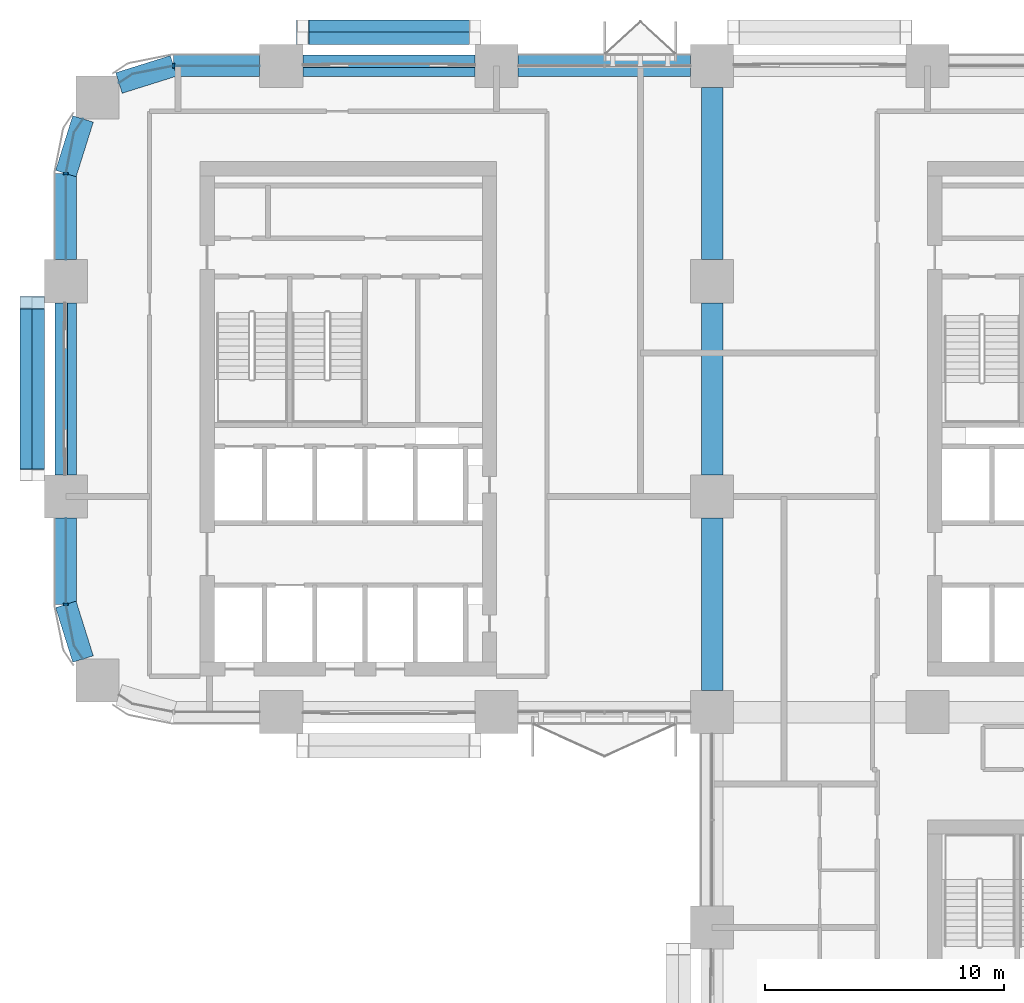
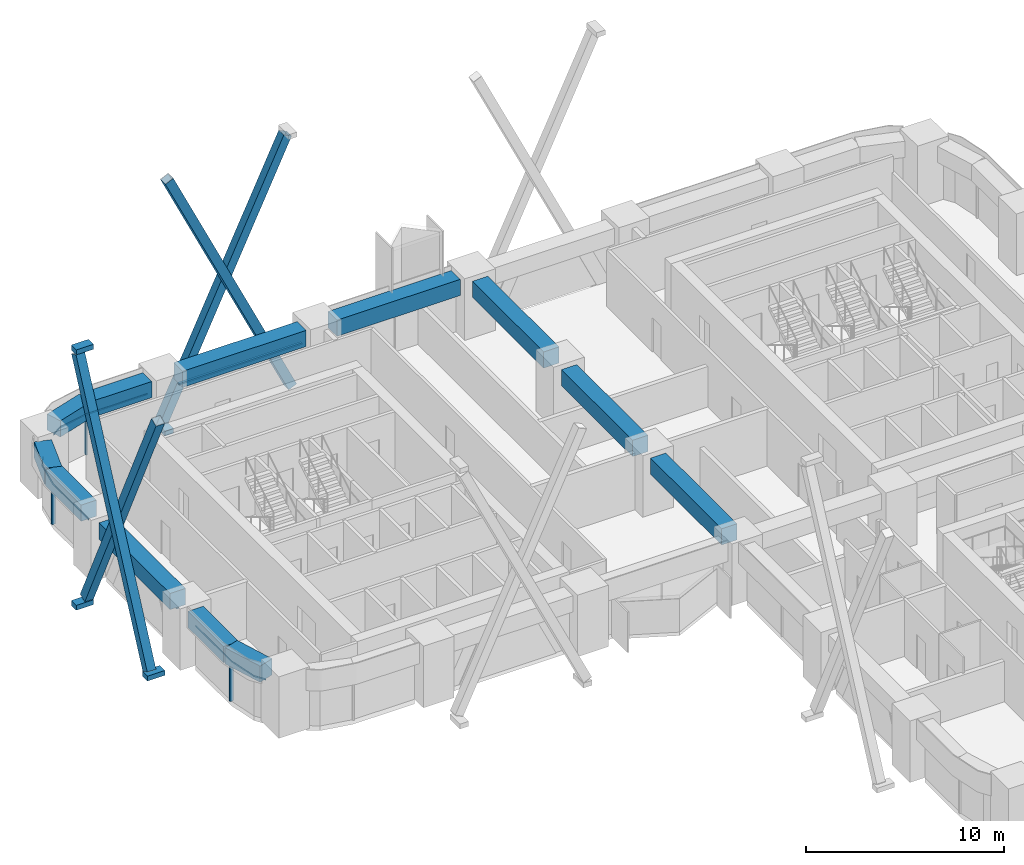
# One storey, part 6 of 19: 16 members, 12 beams, 5 elements without a shape of their own.
"""IFC4 building model written with IfcOpenShell, lengths in metres."""

from ifc_helpers import new_model, si_unit, direction, frame, origin, origin_2d, place, context, subcontext, project, spatial, polyline, rectangle, hollow_rectangle, outline, extrude, material, layer, layer_set, material_profile, profile_set, type_object, element, aggregate, save


model = new_model("IFC4")

# Units and contexts
model_context = context("Model", 3, precision=1e-05, world=origin(), true_north=direction((0.0, 1.0)))
body_context = subcontext(model_context, "Body", "Model", "MODEL_VIEW")
ifc_project = project(units=[si_unit("LENGTHUNIT", "METRE"), si_unit("AREAUNIT", "SQUARE_METRE"), si_unit("VOLUMEUNIT", "CUBIC_METRE"), si_unit("PLANEANGLEUNIT", "RADIAN"), si_unit("MASSUNIT", "GRAM", prefix="KILO")], contexts=[model_context])

# Site, building, storey
site_placement = place(None, origin())
site = spatial("IfcSite", under=ifc_project, at=site_placement, CompositionType="ELEMENT")
building_placement = place(site_placement, origin())
building = spatial("IfcBuilding", under=site, at=building_placement, Name="Tessera Arch", CompositionType="ELEMENT")
storey_placement = place(building_placement, frame((0.0, 0.0, 93.0)))
storey = spatial("IfcBuildingStorey", under=building, at=storey_placement, Name="L21", CompositionType="ELEMENT", Elevation=93.0)

# Members
ifc_material_1 = material(Name="Steel A500 Gr C", Category="steel")
ifc_material_profile_1 = material_profile(ifc_material_1, hollow_rectangle(XDim=0.508056640625, YDim=0.508056640625, WallThickness=0.0146484375, at=origin_2d()), Name="HSS20x20x5/8")
ifc_profile_set_1 = profile_set([ifc_material_profile_1], Name="Steel A500 Gr C")
member_type_1 = type_object("IfcMemberType", Name="Brace HSS20x20x5/8 Steel A500 Gr C", PredefinedType="BRACE", material=ifc_profile_set_1)
for number, where, z_axis, x_axis, name in (
    (1, (17.10009765625, 55.154052734375, -0.800048828125), (-0.428096952335, 0.0, 0.903732814167), (0.0, -1.0, 0.0), "Brace N54.0-3 A L21-L24"),
    (2, (9.89990234375, 55.662109375, -0.800048828125), (0.428096952335, 0.0, 0.903732814167), (0.0, 1.0, 0.0), "Brace N54.0-3 B L21-L24"),
    (3, (-1.154052734375, 44.10009765625, -0.800048828125), (0.0, -0.428096952335, 0.903732814167), (1.0, 0.0, 0.0), "Brace W0.27-1 A L21-L24"),
    (4, (-1.662109375, 36.89990234375, -0.800048828125), (0.0, 0.428096952335, 0.903732814167), (-1.0, 0.0, 0.0), "Brace W0.27-1 B L21-L24"),
):
    element("IfcMember", number, at=place(storey_placement, frame(where, z_axis=z_axis, x_axis=x_axis)), inside=storey, type_object=member_type_1, Name=name, PredefinedType="BRACE", context=body_context, shape_type="SweptSolid", body=[
        extrude(hollow_rectangle(XDim=0.508056640625, YDim=0.508056640625, WallThickness=0.0146484375, at=origin_2d()), origin(), (0.0, 0.0, 1.0), 16.819091796875),
    ])

# Curtain wall, member
ifc_material_2 = material(Name="CW2 curtain wall")
curtain_wall_type_1 = type_object("IfcCurtainWallType", Name="CW2 curtain wall", PredefinedType="NOTDEFINED", material=ifc_material_2)
curtain_wall_1_placement = place(storey_placement, origin())
curtain_wall_1 = element("IfcCurtainWall", 5, at=curtain_wall_1_placement, inside=storey, type_object=curtain_wall_type_1, Name="CW2 curtain wall N54.0/4 L21", PredefinedType="NOTDEFINED")
ifc_material_3 = material(Name="Anodised aluminium pale metal", Category="aluminium")
ifc_material_profile_2 = material_profile(ifc_material_3, rectangle(XDim=0.199951171875, YDim=0.080078125, at=origin_2d()), Name="AL 80x200")
ifc_profile_set_2 = profile_set([ifc_material_profile_2], Name="Anodised aluminium pale metal")
member_type_2 = type_object("IfcMemberType", Name="CW2 mullion", PredefinedType="MULLION", material=ifc_profile_set_2)
member_1_placement = place(storey_placement, frame((4.5, 54.0, 0.0), z_axis=(0.0, 0.0, 1.0), x_axis=(0.0, -1.0, 0.0)))
member_1 = element("IfcMember", 6, at=member_1_placement, type_object=member_type_2, Name="CW2 mullion N54.0/4 1", PredefinedType="MULLION", context=body_context, shape_type="SweptSolid", body=[
    extrude(rectangle(XDim=0.199951171875, YDim=0.080078125, at=origin_2d()), origin(), (0.0, 0.0, 1.0), 2.39990234375),
])

curtain_wall_2_placement = place(storey_placement, origin())
curtain_wall_2 = element("IfcCurtainWall", 7, at=curtain_wall_2_placement, inside=storey, type_object=curtain_wall_type_1, Name="CW2 curtain wall W0.27/0 L21", PredefinedType="NOTDEFINED")
member_2_placement = place(storey_placement, frame((0.0, 49.5, 0.0), z_axis=(0.0, 0.0, 1.0), x_axis=(1.0, 0.0, 0.0)))
member_2 = element("IfcMember", 8, at=member_2_placement, type_object=member_type_2, Name="CW2 mullion W0.27/0 1", PredefinedType="MULLION", context=body_context, shape_type="SweptSolid", body=[
    extrude(rectangle(XDim=0.199951171875, YDim=0.080078125, at=origin_2d()), origin(), (0.0, 0.0, 1.0), 2.39990234375),
])

curtain_wall_3_placement = place(storey_placement, origin())
curtain_wall_3 = element("IfcCurtainWall", 9, at=curtain_wall_3_placement, inside=storey, type_object=curtain_wall_type_1, Name="CW2 curtain wall W0.27/2 L21", PredefinedType="NOTDEFINED")
member_3_placement = place(storey_placement, frame((0.0, 31.5, 0.0), z_axis=(0.0, 0.0, 1.0), x_axis=(1.0, 0.0, 0.0)))
member_3 = element("IfcMember", 10, at=member_3_placement, type_object=member_type_2, Name="CW2 mullion W0.27/2 1", PredefinedType="MULLION", context=body_context, shape_type="SweptSolid", body=[
    extrude(rectangle(XDim=0.199951171875, YDim=0.080078125, at=origin_2d()), origin(), (0.0, 0.0, 1.0), 2.39990234375),
])

# Member
ifc_material_4 = material(Name="Anodised aluminium pale metal", Category="aluminium")
ifc_material_profile_3 = material_profile(ifc_material_4, rectangle(XDim=0.199951171875, YDim=0.10009765625, at=origin_2d()), Name="AL 200x100")
ifc_profile_set_3 = profile_set([ifc_material_profile_3], Name="Anodised aluminium pale metal")
member_type_3 = type_object("IfcMemberType", Name="CW2 transom", PredefinedType="USERDEFINED", material=ifc_profile_set_3)
member_4_placement = place(storey_placement, frame((0.0, 0.0, 2.39990234375)))
member_4 = element("IfcMember", 11, at=member_4_placement, type_object=member_type_3, Name="CW2 transom N54.0/4 1", ObjectType="TRANSOM", PredefinedType="USERDEFINED", context=body_context, shape_type="SweptSolid", body=[
    extrude(outline(polyline([(4.5009765625, 53.989990234375), (8.10009765625, 53.989990234375), (8.10009765625, 54.010009765625), (4.4990234375, 54.010009765625), (2.77392578125, 53.6669921875), (2.21240234375, 53.29150390625), (2.2236328125, 53.27490234375), (2.78173828125, 53.648193359375), (4.5009765625, 53.989990234375)])), origin(), (0.0, 0.0, 1.0), 0.10009765625),
])

aggregate(curtain_wall_1, [member_1, member_4])

member_5_placement = place(storey_placement, frame((0.0, 0.0, 2.39990234375)))
member_5 = element("IfcMember", 12, at=member_5_placement, type_object=member_type_3, Name="CW2 transom W0.27/0 1", ObjectType="TRANSOM", PredefinedType="USERDEFINED", context=body_context, shape_type="SweptSolid", body=[
    extrude(outline(polyline([(0.351806640625, 51.21826171875), (0.72509765625, 51.7763671875), (0.70849609375, 51.78759765625), (0.3330078125, 51.22607421875), (-0.010009765625, 49.5009765625), (-0.010009765625, 45.89990234375), (0.010009765625, 45.89990234375), (0.010009765625, 49.4990234375), (0.351806640625, 51.21826171875)])), origin(), (0.0, 0.0, 1.0), 0.10009765625),
])

aggregate(curtain_wall_2, [member_2, member_5])

member_6_placement = place(storey_placement, frame((0.0, 0.0, 2.39990234375)))
member_6 = element("IfcMember", 13, at=member_6_placement, type_object=member_type_3, Name="CW2 transom W0.27/2 1", ObjectType="TRANSOM", PredefinedType="USERDEFINED", context=body_context, shape_type="SweptSolid", body=[
    extrude(outline(polyline([(0.010009765625, 31.5009765625), (0.010009765625, 35.10009765625), (-0.010009765625, 35.10009765625), (-0.010009765625, 31.4990234375), (0.3330078125, 29.77392578125), (0.70849609375, 29.21240234375), (0.72509765625, 29.2236328125), (0.351806640625, 29.78173828125), (0.010009765625, 31.5009765625)])), origin(), (0.0, 0.0, 1.0), 0.10009765625),
])

aggregate(curtain_wall_3, [member_3, member_6])

# Curtain wall, member
ifc_material_5 = material(Name="CW3 curtain wall")
curtain_wall_type_2 = type_object("IfcCurtainWallType", Name="CW3 curtain wall", PredefinedType="NOTDEFINED", material=ifc_material_5)
curtain_wall_4_placement = place(storey_placement, origin())
curtain_wall_4 = element("IfcCurtainWall", 14, at=curtain_wall_4_placement, inside=storey, type_object=curtain_wall_type_2, Name="CW3 curtain wall N54.0/3 L21", PredefinedType="NOTDEFINED")
ifc_material_6 = material(Name="Anodised aluminium pale metal", Category="aluminium")
ifc_material_profile_4 = material_profile(ifc_material_6, rectangle(XDim=0.139892578125, YDim=0.10009765625, at=origin_2d()), Name="AL 140x100")
ifc_profile_set_4 = profile_set([ifc_material_profile_4], Name="Anodised aluminium pale metal")
member_type_4 = type_object("IfcMemberType", Name="CW3 transom", PredefinedType="USERDEFINED", material=ifc_profile_set_4)
member_7_placement = place(storey_placement, frame((17.10009765625, 54.0, 2.449951171875), z_axis=(-1.0, 0.0, 0.0), x_axis=(0.0, -1.0, 0.0)))
member_7 = element("IfcMember", 15, at=member_7_placement, type_object=member_type_4, Name="CW3 transom N54.0/3 1.1", ObjectType="TRANSOM", PredefinedType="USERDEFINED", context=body_context, shape_type="SweptSolid", body=[
    extrude(rectangle(XDim=0.139892578125, YDim=0.10009765625, at=origin_2d()), origin(), (0.0, 0.0, 1.0), 7.2001953125),
])
aggregate(curtain_wall_4, [member_7])

curtain_wall_5_placement = place(storey_placement, origin())
curtain_wall_5 = element("IfcCurtainWall", 16, at=curtain_wall_5_placement, inside=storey, type_object=curtain_wall_type_2, Name="CW3 curtain wall W0.27/1 L21", PredefinedType="NOTDEFINED")
member_8_placement = place(storey_placement, frame((0.0, 44.10009765625, 2.449951171875), z_axis=(0.0, -1.0, 0.0), x_axis=(1.0, 0.0, 0.0)))
member_8 = element("IfcMember", 17, at=member_8_placement, type_object=member_type_4, Name="CW3 transom W0.27/1 1.1", ObjectType="TRANSOM", PredefinedType="USERDEFINED", context=body_context, shape_type="SweptSolid", body=[
    extrude(rectangle(XDim=0.139892578125, YDim=0.10009765625, at=origin_2d()), origin(), (0.0, 0.0, 1.0), 7.2001953125),
])
aggregate(curtain_wall_5, [member_8])

# Members
ifc_material_7 = material(Name="Steel A572 Gr50", Category="steel")
ifc_layer = layer(ifc_material_7, 0.050048828125)
ifc_layer_set = layer_set([ifc_layer], Name="Node block Steel A572 Gr50")
member_type_5 = type_object("IfcMemberType", Name="Node block Steel A572 Gr50", PredefinedType="PLATE", material=ifc_layer_set)
for number, where, z_axis, x_axis, name in (
    (18, (9.89990234375, 55.407958984375, -1.2314453125), (0.0, 0.0, 1.0), (-1.0, 0.0, 0.0), "Node block seat N54.0-3 1 L21"),
    (19, (-1.407958984375, 36.89990234375, -1.2314453125), (0.0, 0.0, 1.0), (0.0, -1.0, 0.0), "Node block seat W0.27-1 1 L21"),
    (20, (-1.407958984375, 44.10009765625, -1.2314453125), (0.0, 0.0, 1.0), (0.0, -1.0, 0.0), "Node block seat W0.27-1 2 L21"),
    (21, (-1.407958984375, 44.10009765625, 14.53125), (0.0, 0.0, 1.0), (0.0, -1.0, 0.0), "Node block head W0.27-1 B L21"),
):
    element("IfcMember", number, at=place(storey_placement, frame(where, z_axis=z_axis, x_axis=x_axis)), inside=storey, type_object=member_type_5, Name=name, PredefinedType="PLATE", context=body_context, shape_type="SweptSolid", body=[
        extrude(rectangle(XDim=0.508056640625, YDim=1.01611328125, at=origin_2d()), origin(), (0.0, 0.0, 1.0), 0.300048828125),
    ])

# Beams
ifc_material_8 = material(Name="Concrete C80/95", Category="concrete")
ifc_material_profile_5 = material_profile(ifc_material_8, rectangle(XDim=0.89990234375, YDim=1.0, at=origin_2d()), Name="RC spandrel beam 900 x 1000 Concrete C80/95")
ifc_profile_set_5 = profile_set([ifc_material_profile_5], Name="Concrete C80/95")
beam_type = type_object("IfcBeamType", Name="RC spandrel beam 900 x 1000 Concrete C80/95", PredefinedType="BEAM", material=ifc_profile_set_5)
for number, where, z_axis, x_axis, name in (
    (22, (26.10009765625, 54.0, 3.0), (-1.0, 0.0, 0.0), (0.0, -1.0, 0.0), "Spandrel beam L21 N54.0/2"),
    (23, (17.10009765625, 54.0, 3.0), (-1.0, 0.0, 0.0), (0.0, -1.0, 0.0), "Spandrel beam L21 N54.0/3"),
):
    element("IfcBeam", number, at=place(storey_placement, frame(where, z_axis=z_axis, x_axis=x_axis)), inside=storey, type_object=beam_type, Name=name, PredefinedType="BEAM", context=body_context, shape_type="SweptSolid", body=[
        extrude(rectangle(XDim=0.89990234375, YDim=1.0, at=origin_2d()), origin(), (0.0, 0.0, 1.0), 7.2001953125),
    ])
beam_1_placement = place(storey_placement, frame((8.10009765625, 54.0, 3.0), z_axis=(-1.0, 0.0, 0.0), x_axis=(0.0, -1.0, 0.0)))
element("IfcBeam", 24, at=beam_1_placement, inside=storey, type_object=beam_type, Name="Spandrel beam L21 N54.0/4.1", PredefinedType="BEAM", context=body_context, shape_type="SweptSolid", body=[
    extrude(rectangle(XDim=0.89990234375, YDim=1.0, at=origin_2d()), origin(), (0.0, 0.0, 1.0), 3.60009765625),
])
for number, where, z_axis, x_axis, name in (
    (25, (4.5, 54.0, 3.0), (-0.954041251279, -0.299675309057, 0.0), (0.299675309057, -0.954041251279, 0.0), "Spandrel beam L21 N54.0/4.2"),
    (26, (0.716796875, 51.781982421875, 3.0), (-0.299675309057, -0.954041251279, 0.0), (0.954041251279, -0.299675309057, 0.0), "Spandrel beam L21 W0.27/0.1"),
):
    element("IfcBeam", number, at=place(storey_placement, frame(where, z_axis=z_axis, x_axis=x_axis)), inside=storey, type_object=beam_type, Name=name, PredefinedType="BEAM", context=body_context, shape_type="SweptSolid", body=[
        extrude(rectangle(XDim=0.89990234375, YDim=1.0, at=origin_2d()), origin(), (0.0, 0.0, 1.0), 2.391845703125),
    ])
beam_2_placement = place(storey_placement, frame((0.0, 49.5, 3.0), z_axis=(0.0, -1.0, 0.0), x_axis=(1.0, 0.0, 0.0)))
element("IfcBeam", 27, at=beam_2_placement, inside=storey, type_object=beam_type, Name="Spandrel beam L21 W0.27/0.2", PredefinedType="BEAM", context=body_context, shape_type="SweptSolid", body=[
    extrude(rectangle(XDim=0.89990234375, YDim=1.0, at=origin_2d()), origin(), (0.0, 0.0, 1.0), 3.60009765625),
])
beam_3_placement = place(storey_placement, frame((0.0, 44.10009765625, 3.0), z_axis=(0.0, -1.0, 0.0), x_axis=(1.0, 0.0, 0.0)))
element("IfcBeam", 28, at=beam_3_placement, inside=storey, type_object=beam_type, Name="Spandrel beam L21 W0.27/1", PredefinedType="BEAM", context=body_context, shape_type="SweptSolid", body=[
    extrude(rectangle(XDim=0.89990234375, YDim=1.0, at=origin_2d()), origin(), (0.0, 0.0, 1.0), 7.2001953125),
])
beam_4_placement = place(storey_placement, frame((0.0, 35.10009765625, 3.0), z_axis=(0.0, -1.0, 0.0), x_axis=(1.0, 0.0, 0.0)))
element("IfcBeam", 29, at=beam_4_placement, inside=storey, type_object=beam_type, Name="Spandrel beam L21 W0.27/2.1", PredefinedType="BEAM", context=body_context, shape_type="SweptSolid", body=[
    extrude(rectangle(XDim=0.89990234375, YDim=1.0, at=origin_2d()), origin(), (0.0, 0.0, 1.0), 3.60009765625),
])
beam_5_placement = place(storey_placement, frame((0.0, 31.5, 3.0), z_axis=(0.299675309057, -0.954041251279, 0.0), x_axis=(0.954041251279, 0.299675309057, 0.0)))
element("IfcBeam", 30, at=beam_5_placement, inside=storey, type_object=beam_type, Name="Spandrel beam L21 W0.27/2.2", PredefinedType="BEAM", context=body_context, shape_type="SweptSolid", body=[
    extrude(rectangle(XDim=0.89990234375, YDim=1.0, at=origin_2d()), origin(), (0.0, 0.0, 1.0), 2.391845703125),
])
for number, where, z_axis, x_axis, name in (
    (31, (27.0, 27.89990234375, 3.0), (0.0, 1.0, 0.0), (-1.0, 0.0, 0.0), "Interface beam L21 I0C4D-C4E"),
    (32, (27.0, 36.89990234375, 3.0), (0.0, 1.0, 0.0), (-1.0, 0.0, 0.0), "Interface beam L21 I0C4E-C4F"),
    (33, (27.0, 45.89990234375, 3.0), (0.0, 1.0, 0.0), (-1.0, 0.0, 0.0), "Interface beam L21 I0C4F-C4G"),
):
    element("IfcBeam", number, at=place(storey_placement, frame(where, z_axis=z_axis, x_axis=x_axis)), inside=storey, type_object=beam_type, Name=name, PredefinedType="BEAM", context=body_context, shape_type="SweptSolid", body=[
        extrude(rectangle(XDim=0.89990234375, YDim=1.0, at=origin_2d()), origin(), (0.0, 0.0, 1.0), 7.2001953125),
    ])

save(model, "model.ifc")
